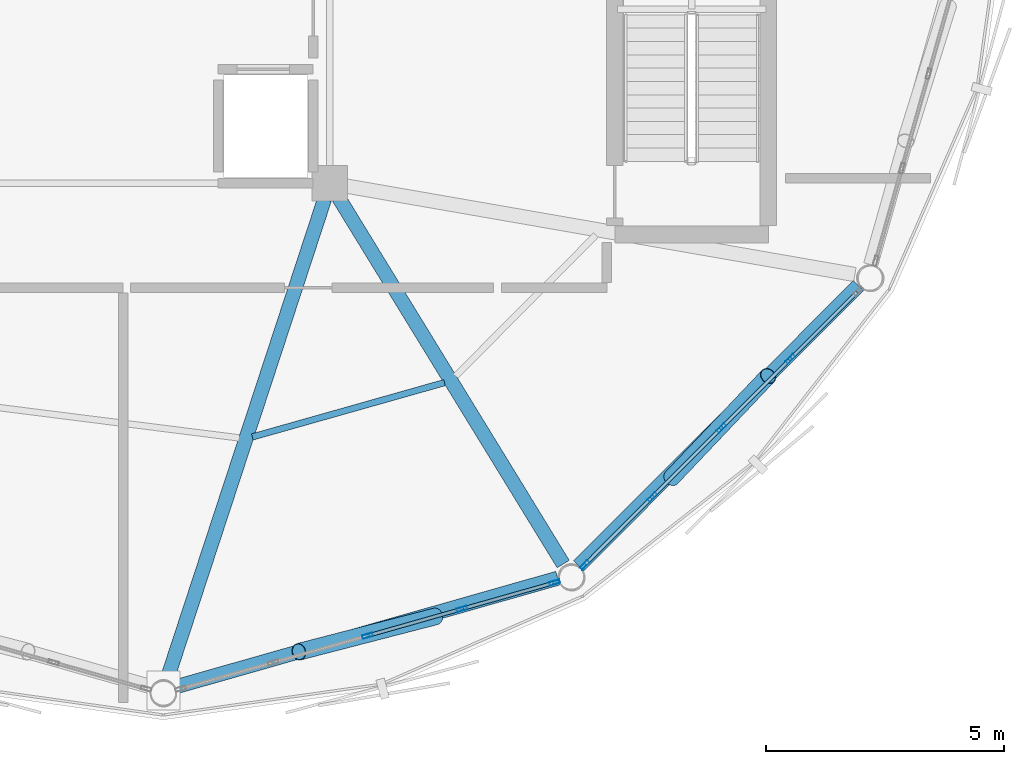
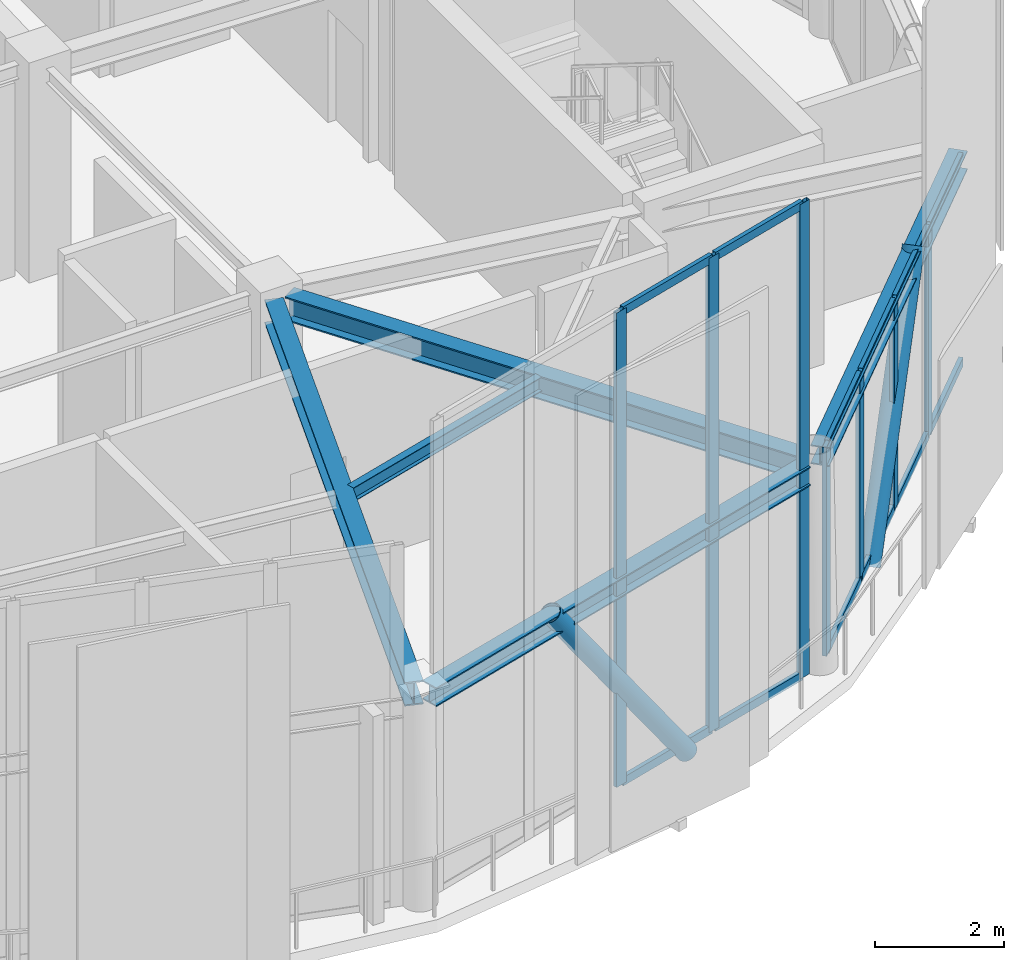
# One storey, part 5 of 20: 21 members, 5 beams, 2 elements without a shape of their own.
"""IFC4 building model written with IfcOpenShell, lengths in metres."""

from ifc_helpers import new_model, si_unit, direction, frame, origin, origin_2d, place, context, subcontext, project, spatial, hollow_rectangle, hollow_circle, i_section, extrude, material, layer, layer_set, material_profile, profile_set, type_object, element, aggregate, save


model = new_model("IFC4")

# Units and contexts
model_context = context("Model", 3, precision=1e-05, world=origin(), true_north=direction((0.0, 1.0)))
body_context = subcontext(model_context, "Body", "Model", "MODEL_VIEW")
ifc_project = project(units=[si_unit("LENGTHUNIT", "METRE"), si_unit("AREAUNIT", "SQUARE_METRE"), si_unit("VOLUMEUNIT", "CUBIC_METRE"), si_unit("PLANEANGLEUNIT", "RADIAN"), si_unit("MASSUNIT", "GRAM", prefix="KILO")], contexts=[model_context])

# Site, building, storey
site_placement = place(None, origin())
site = spatial("IfcSite", under=ifc_project, at=site_placement, CompositionType="ELEMENT")
building_placement = place(site_placement, origin())
building = spatial("IfcBuilding", under=site, at=building_placement, Name="Varnakorn Sky Granary", CompositionType="ELEMENT")
storey_placement = place(building_placement, frame((0.0, 0.0, 310.800048828125)))
storey = spatial("IfcBuildingStorey", under=building, at=storey_placement, Name="L79", CompositionType="ELEMENT", Elevation=310.800048828125)

# Beams
ifc_material_1 = material(Name="Steel S355JR", Category="steel")
ifc_material_profile_1 = material_profile(ifc_material_1, i_section(OverallWidth=0.300048828125, OverallDepth=0.449951171875, WebThickness=0.013916015625, FlangeThickness=0.02587890625, at=origin_2d()), Name="HE 450 B")
ifc_profile_set_1 = profile_set([ifc_material_profile_1], Name="Steel S355JR")
beam_type_1 = type_object("IfcBeamType", Name="BM-RAD-Z5", PredefinedType="BEAM", material=ifc_profile_set_1)
beam_1_placement = place(storey_placement, frame((8.239501953125, -6.937255859375, 3.73486328125), z_axis=(-0.311668504722, -0.950190898275, 0.0), x_axis=(0.950190898275, -0.311668504722, 0.0)))
element("IfcBeam", 1, at=beam_1_placement, inside=storey, type_object=beam_type_1, Name="Radial Floor Girder RG10 L79", PredefinedType="BEAM", context=body_context, shape_type="SweptSolid", body=[
    extrude(i_section(OverallWidth=0.300048828125, OverallDepth=0.449951171875, WebThickness=0.013916015625, FlangeThickness=0.02587890625, at=origin_2d()), origin(), (0.0, 0.0, 1.0), 10.611083984375),
])
beam_2_placement = place(storey_placement, frame((8.535400390625, -6.902587890625, 3.73486328125), z_axis=(0.522562057929, -0.852601252411, 0.0), x_axis=(0.852601252411, 0.522562057929, 0.0)))
element("IfcBeam", 2, at=beam_2_placement, inside=storey, type_object=beam_type_1, Name="Radial Floor Girder RG11 L79", PredefinedType="BEAM", context=body_context, shape_type="SweptSolid", body=[
    extrude(i_section(OverallWidth=0.300048828125, OverallDepth=0.449951171875, WebThickness=0.013916015625, FlangeThickness=0.02587890625, at=origin_2d()), origin(), (0.0, 0.0, 1.0), 9.04541015625),
])
ifc_material_profile_2 = material_profile(ifc_material_1, i_section(OverallWidth=0.135009765625, OverallDepth=0.27001953125, WebThickness=0.006591796875, FlangeThickness=0.01025390625, at=origin_2d()), Name="IPE 270")
ifc_profile_set_2 = profile_set([ifc_material_profile_2], Name="Steel S355JR")
beam_type_2 = type_object("IfcBeamType", Name="BM-SEC-Z5", PredefinedType="BEAM", material=ifc_profile_set_2)
beam_3_placement = place(storey_placement, frame((6.720703125, -11.9404296875, 3.824951171875), z_axis=(0.96225715866, 0.272141802389, 0.0), x_axis=(-0.272141802389, 0.96225715866, 0.0)))
element("IfcBeam", 3, at=beam_3_placement, inside=storey, type_object=beam_type_2, Name="Secondary Floor Chord Beam MSB10 L79", PredefinedType="BEAM", context=body_context, shape_type="SweptSolid", body=[
    extrude(i_section(OverallWidth=0.135009765625, OverallDepth=0.27001953125, WebThickness=0.006591796875, FlangeThickness=0.01025390625, at=origin_2d()), origin(), (0.0, 0.0, 1.0), 4.2021484375),
])
ifc_material_profile_3 = material_profile(ifc_material_1, i_section(OverallWidth=0.300048828125, OverallDepth=0.360107421875, WebThickness=0.012451171875, FlangeThickness=0.0224609375, at=origin_2d()), Name="HE 360 B")
ifc_profile_set_3 = profile_set([ifc_material_profile_3], Name="Steel S355JR")
beam_type_3 = type_object("IfcBeamType", Name="BM-SPD-Z5", PredefinedType="SPANDREL", material=ifc_profile_set_3)
beam_4_placement = place(storey_placement, frame((5.1044921875, -17.19873046875, 3.780029296875), z_axis=(0.961884569947, 0.273455799168, 0.0), x_axis=(-0.273455799168, 0.961884569947, 0.0)))
element("IfcBeam", 4, at=beam_4_placement, inside=storey, type_object=beam_type_3, Name="Perimeter Spandrel Ring Beam RB10 L79", PredefinedType="SPANDREL", context=body_context, shape_type="SweptSolid", body=[
    extrude(i_section(OverallWidth=0.300048828125, OverallDepth=0.360107421875, WebThickness=0.012451171875, FlangeThickness=0.0224609375, at=origin_2d()), origin(), (0.0, 0.0, 1.0), 8.360107421875),
])
beam_5_placement = place(storey_placement, frame((13.58740234375, -14.653076171875, 3.780029296875), z_axis=(0.706373891931, 0.707838911617, 0.0), x_axis=(-0.707838911617, 0.706373891931, 0.0)))
element("IfcBeam", 5, at=beam_5_placement, inside=storey, type_object=beam_type_3, Name="Perimeter Spandrel Ring Beam RB11 L79", PredefinedType="SPANDREL", context=body_context, shape_type="SweptSolid", body=[
    extrude(i_section(OverallWidth=0.300048828125, OverallDepth=0.360107421875, WebThickness=0.012451171875, FlangeThickness=0.0224609375, at=origin_2d()), origin(), (0.0, 0.0, 1.0), 8.332275390625),
])

# Curtain wall, members
ifc_material_2 = material(Name="Anodised Bronze Aluminium Alloy 6063-T6", Category="aluminium")
ifc_layer = layer(ifc_material_2, 0.22998046875, Name="Anodised Bronze Aluminium Alloy 6063-T6")
ifc_layer_set = layer_set([ifc_layer], Name="Anodised Bronze Aluminium Alloy 6063-T6")
curtain_wall_type = type_object("IfcCurtainWallType", Name="CW-LNT-1", PredefinedType="USERDEFINED", material=ifc_layer_set)
curtain_wall_1_placement = place(storey_placement, origin())
curtain_wall_1 = element("IfcCurtainWall", 6, at=curtain_wall_1_placement, inside=storey, type_object=curtain_wall_type, Name="Unitised Curtain Wall CW7 CW-L79-B10", ObjectType="CURTAIN WALL", PredefinedType="USERDEFINED")
ifc_material_profile_4 = material_profile(ifc_material_2, hollow_rectangle(XDim=0.074951171875, YDim=0.219970703125, WallThickness=0.00390625, at=origin_2d()), Name="ALU MULL 75x220")
ifc_profile_set_4 = profile_set([ifc_material_profile_4], Name="Anodised Bronze Aluminium Alloy 6063-T6")
member_type_1 = type_object("IfcMemberType", Name="CW-LNT-1-MULL", PredefinedType="MULLION", material=ifc_profile_set_4)
member_1_placement = place(storey_placement, frame((13.080322265625, -15.005615234375, 0.0), z_axis=(0.0, 0.0, 1.0), x_axis=(0.273207021896, -0.961955260491, 0.0)))
member_1 = element("IfcMember", 7, at=member_1_placement, type_object=member_type_1, Name="CW7 mullion 1", PredefinedType="MULLION", context=body_context, shape_type="SweptSolid", body=[
    extrude(hollow_rectangle(XDim=0.074951171875, YDim=0.219970703125, WallThickness=0.00390625, at=origin_2d()), origin(), (0.0, 0.0, 1.0), 9.0068359375),
])
member_2_placement = place(storey_placement, frame((11.13134765625, -15.55908203125, 0.0), z_axis=(0.0, 0.0, 1.0), x_axis=(0.273207021896, -0.961955260491, 0.0)))
member_2 = element("IfcMember", 8, at=member_2_placement, type_object=member_type_1, Name="CW7 mullion 2", PredefinedType="MULLION", context=body_context, shape_type="SweptSolid", body=[
    extrude(hollow_rectangle(XDim=0.074951171875, YDim=0.219970703125, WallThickness=0.00390625, at=origin_2d()), origin(), (0.0, 0.0, 1.0), 9.0068359375),
])
member_3_placement = place(storey_placement, frame((9.146484375, -16.122802734375, 0.0), z_axis=(0.0, 0.0, 1.0), x_axis=(0.273207021896, -0.961955260491, 0.0)))
member_3 = element("IfcMember", 9, at=member_3_placement, type_object=member_type_1, Name="CW7 mullion 3", PredefinedType="MULLION", context=body_context, shape_type="SweptSolid", body=[
    extrude(hollow_rectangle(XDim=0.074951171875, YDim=0.219970703125, WallThickness=0.00390625, at=origin_2d()), origin(), (0.0, 0.0, 1.0), 9.0068359375),
])

curtain_wall_2_placement = place(storey_placement, origin())
curtain_wall_2 = element("IfcCurtainWall", 10, at=curtain_wall_2_placement, inside=storey, type_object=curtain_wall_type, Name="Unitised Curtain Wall CW7 CW-L79-B11", ObjectType="CURTAIN WALL", PredefinedType="USERDEFINED")
member_4_placement = place(storey_placement, frame((18.041015625, -10.298828125, 0.0), z_axis=(0.0, 0.0, 1.0), x_axis=(0.707562678959, -0.706650589291, 0.0)))
member_4 = element("IfcMember", 11, at=member_4_placement, type_object=member_type_1, Name="CW7 mullion 2", PredefinedType="MULLION", context=body_context, shape_type="SweptSolid", body=[
    extrude(hollow_rectangle(XDim=0.074951171875, YDim=0.219970703125, WallThickness=0.00390625, at=origin_2d()), origin(), (0.0, 0.0, 1.0), 3.9599609375),
])
member_5_placement = place(storey_placement, frame((16.588134765625, -11.75341796875, 0.0), z_axis=(0.0, 0.0, 1.0), x_axis=(0.707562678959, -0.706650589291, 0.0)))
member_5 = element("IfcMember", 12, at=member_5_placement, type_object=member_type_1, Name="CW7 mullion 3", PredefinedType="MULLION", context=body_context, shape_type="SweptSolid", body=[
    extrude(hollow_rectangle(XDim=0.074951171875, YDim=0.219970703125, WallThickness=0.00390625, at=origin_2d()), origin(), (0.0, 0.0, 1.0), 3.9599609375),
])
member_6_placement = place(storey_placement, frame((15.135498046875, -13.207763671875, 0.0), z_axis=(0.0, 0.0, 1.0), x_axis=(0.707562678959, -0.706650589291, 0.0)))
member_6 = element("IfcMember", 13, at=member_6_placement, type_object=member_type_1, Name="CW7 mullion 4", PredefinedType="MULLION", context=body_context, shape_type="SweptSolid", body=[
    extrude(hollow_rectangle(XDim=0.074951171875, YDim=0.219970703125, WallThickness=0.00390625, at=origin_2d()), origin(), (0.0, 0.0, 1.0), 3.9599609375),
])
member_7_placement = place(storey_placement, frame((13.70947265625, -14.635986328125, 0.0), z_axis=(0.0, 0.0, 1.0), x_axis=(0.707562678959, -0.706650589291, 0.0)))
member_7 = element("IfcMember", 14, at=member_7_placement, type_object=member_type_1, Name="CW7 mullion 5", PredefinedType="MULLION", context=body_context, shape_type="SweptSolid", body=[
    extrude(hollow_rectangle(XDim=0.074951171875, YDim=0.219970703125, WallThickness=0.00390625, at=origin_2d()), origin(), (0.0, 0.0, 1.0), 3.9599609375),
])

# Member
ifc_material_profile_5 = material_profile(ifc_material_2, hollow_rectangle(XDim=0.074951171875, YDim=0.159912109375, WallThickness=0.00390625, at=origin_2d()), Name="ALU TRAN 75x160")
ifc_profile_set_5 = profile_set([ifc_material_profile_5], Name="Anodised Bronze Aluminium Alloy 6063-T6")
member_type_2 = type_object("IfcMemberType", Name="CW-LNT-1-TRAN", PredefinedType="USERDEFINED", material=ifc_profile_set_5)
member_8_placement = place(storey_placement, frame((13.044189453125, -15.015869140625, 0.037353515625), z_axis=(-0.961961894465, -0.273183662757, 0.0), x_axis=(0.273183662757, -0.961961894465, 0.0)))
member_8 = element("IfcMember", 15, at=member_8_placement, type_object=member_type_2, Name="CW7 transom 1.1", ObjectType="TRANSOM", PredefinedType="USERDEFINED", context=body_context, shape_type="SweptSolid", body=[
    extrude(hollow_rectangle(XDim=0.074951171875, YDim=0.159912109375, WallThickness=0.00390625, at=origin_2d()), origin(), (0.0, 0.0, 1.0), 1.950927734375),
])

member_9_placement = place(storey_placement, frame((13.044189453125, -15.015869140625, 8.96923828125), z_axis=(-0.961961894465, -0.273183662757, 0.0), x_axis=(0.273183662757, -0.961961894465, 0.0)))
member_9 = element("IfcMember", 16, at=member_9_placement, type_object=member_type_2, Name="CW7 transom 1.2", ObjectType="TRANSOM", PredefinedType="USERDEFINED", context=body_context, shape_type="SweptSolid", body=[
    extrude(hollow_rectangle(XDim=0.074951171875, YDim=0.159912109375, WallThickness=0.00390625, at=origin_2d()), origin(), (0.0, 0.0, 1.0), 1.950927734375),
])

member_10_placement = place(storey_placement, frame((11.095458984375, -15.5693359375, 0.037353515625), z_axis=(-0.961962859849, -0.273180263327, 0.0), x_axis=(0.273180263327, -0.961962859849, 0.0)))
member_10 = element("IfcMember", 17, at=member_10_placement, type_object=member_type_2, Name="CW7 transom 2.1", ObjectType="TRANSOM", PredefinedType="USERDEFINED", context=body_context, shape_type="SweptSolid", body=[
    extrude(hollow_rectangle(XDim=0.074951171875, YDim=0.159912109375, WallThickness=0.00390625, at=origin_2d()), origin(), (0.0, 0.0, 1.0), 1.988525390625),
])

member_11_placement = place(storey_placement, frame((11.095458984375, -15.5693359375, 8.96923828125), z_axis=(-0.961962859849, -0.273180263327, 0.0), x_axis=(0.273180263327, -0.961962859849, 0.0)))
member_11 = element("IfcMember", 18, at=member_11_placement, type_object=member_type_2, Name="CW7 transom 2.2", ObjectType="TRANSOM", PredefinedType="USERDEFINED", context=body_context, shape_type="SweptSolid", body=[
    extrude(hollow_rectangle(XDim=0.074951171875, YDim=0.159912109375, WallThickness=0.00390625, at=origin_2d()), origin(), (0.0, 0.0, 1.0), 1.988525390625),
])

aggregate(curtain_wall_1, [member_1, member_2, member_3, member_8, member_9, member_10, member_11])

member_12_placement = place(storey_placement, frame((19.440673828125, -8.897216796875, 0.037353515625), z_axis=(-0.706666940601, -0.707546348349, 0.0), x_axis=(0.707546348349, -0.706666940601, 0.0)))
member_12 = element("IfcMember", 19, at=member_12_placement, type_object=member_type_2, Name="CW7 transom 1.1", ObjectType="TRANSOM", PredefinedType="USERDEFINED", context=body_context, shape_type="SweptSolid", body=[
    extrude(hollow_rectangle(XDim=0.074951171875, YDim=0.159912109375, WallThickness=0.00390625, at=origin_2d()), origin(), (0.0, 0.0, 1.0), 1.943359375),
])

member_13_placement = place(storey_placement, frame((19.440673828125, -8.897216796875, 3.92236328125), z_axis=(-0.706666940601, -0.707546348349, 0.0), x_axis=(0.707546348349, -0.706666940601, 0.0)))
member_13 = element("IfcMember", 20, at=member_13_placement, type_object=member_type_2, Name="CW7 transom 1.2", ObjectType="TRANSOM", PredefinedType="USERDEFINED", context=body_context, shape_type="SweptSolid", body=[
    extrude(hollow_rectangle(XDim=0.074951171875, YDim=0.159912109375, WallThickness=0.00390625, at=origin_2d()), origin(), (0.0, 0.0, 1.0), 1.943359375),
])

member_14_placement = place(storey_placement, frame((18.014404296875, -10.3251953125, 0.037353515625), z_axis=(-0.706613594422, -0.707599624207, 0.0), x_axis=(0.707599624207, -0.706613594422, 0.0)))
member_14 = element("IfcMember", 21, at=member_14_placement, type_object=member_type_2, Name="CW7 transom 2.1", ObjectType="TRANSOM", PredefinedType="USERDEFINED", context=body_context, shape_type="SweptSolid", body=[
    extrude(hollow_rectangle(XDim=0.074951171875, YDim=0.159912109375, WallThickness=0.00390625, at=origin_2d()), origin(), (0.0, 0.0, 1.0), 1.980712890625),
])

member_15_placement = place(storey_placement, frame((18.014404296875, -10.3251953125, 3.92236328125), z_axis=(-0.706613594422, -0.707599624207, 0.0), x_axis=(0.707599624207, -0.706613594422, 0.0)))
member_15 = element("IfcMember", 22, at=member_15_placement, type_object=member_type_2, Name="CW7 transom 2.2", ObjectType="TRANSOM", PredefinedType="USERDEFINED", context=body_context, shape_type="SweptSolid", body=[
    extrude(hollow_rectangle(XDim=0.074951171875, YDim=0.159912109375, WallThickness=0.00390625, at=origin_2d()), origin(), (0.0, 0.0, 1.0), 1.980712890625),
])

member_16_placement = place(storey_placement, frame((16.561767578125, -11.77978515625, 0.037353515625), z_axis=(-0.706613594422, -0.707599624207, 0.0), x_axis=(0.707599624207, -0.706613594422, 0.0)))
member_16 = element("IfcMember", 23, at=member_16_placement, type_object=member_type_2, Name="CW7 transom 3.1", ObjectType="TRANSOM", PredefinedType="USERDEFINED", context=body_context, shape_type="SweptSolid", body=[
    extrude(hollow_rectangle(XDim=0.074951171875, YDim=0.159912109375, WallThickness=0.00390625, at=origin_2d()), origin(), (0.0, 0.0, 1.0), 1.980712890625),
])

member_17_placement = place(storey_placement, frame((16.561767578125, -11.77978515625, 3.92236328125), z_axis=(-0.706613594422, -0.707599624207, 0.0), x_axis=(0.707599624207, -0.706613594422, 0.0)))
member_17 = element("IfcMember", 24, at=member_17_placement, type_object=member_type_2, Name="CW7 transom 3.2", ObjectType="TRANSOM", PredefinedType="USERDEFINED", context=body_context, shape_type="SweptSolid", body=[
    extrude(hollow_rectangle(XDim=0.074951171875, YDim=0.159912109375, WallThickness=0.00390625, at=origin_2d()), origin(), (0.0, 0.0, 1.0), 1.980712890625),
])

member_18_placement = place(storey_placement, frame((15.109130859375, -13.234375, 0.037353515625), z_axis=(-0.706666940601, -0.707546348349, 0.0), x_axis=(0.707546348349, -0.706666940601, 0.0)))
member_18 = element("IfcMember", 25, at=member_18_placement, type_object=member_type_2, Name="CW7 transom 4.1", ObjectType="TRANSOM", PredefinedType="USERDEFINED", context=body_context, shape_type="SweptSolid", body=[
    extrude(hollow_rectangle(XDim=0.074951171875, YDim=0.159912109375, WallThickness=0.00390625, at=origin_2d()), origin(), (0.0, 0.0, 1.0), 1.943359375),
])

member_19_placement = place(storey_placement, frame((15.109130859375, -13.234375, 3.92236328125), z_axis=(-0.706666940601, -0.707546348349, 0.0), x_axis=(0.707546348349, -0.706666940601, 0.0)))
member_19 = element("IfcMember", 26, at=member_19_placement, type_object=member_type_2, Name="CW7 transom 4.2", ObjectType="TRANSOM", PredefinedType="USERDEFINED", context=body_context, shape_type="SweptSolid", body=[
    extrude(hollow_rectangle(XDim=0.074951171875, YDim=0.159912109375, WallThickness=0.00390625, at=origin_2d()), origin(), (0.0, 0.0, 1.0), 1.943359375),
])

aggregate(curtain_wall_2, [member_4, member_5, member_6, member_7, member_12, member_13, member_14, member_15, member_16, member_17, member_18, member_19])

# Members
ifc_material_3 = material(Name="Steel S460M", Category="steel")
ifc_material_profile_6 = material_profile(ifc_material_3, hollow_circle(Radius=0.177734375, WallThickness=0.01416015625, at=origin_2d()), Name="CHS 355.6x14")
ifc_profile_set_6 = profile_set([ifc_material_profile_6], Name="Steel S460M")
member_type_3 = type_object("IfcMemberType", Name="MB-DIAG-T5", PredefinedType="BRACE", material=ifc_profile_set_6)
member_20_placement = place(storey_placement, frame((10.57861328125, -15.716064453125, -0.130126953125), z_axis=(-0.569246727462, -0.147260603796, 0.808871113246), x_axis=(0.250449171896, -0.968129749722, 0.0)))
element("IfcMember", 27, at=member_20_placement, inside=storey, type_object=member_type_3, Name="Perimeter CHS Diagrid Brace DG10 L79", PredefinedType="BRACE", context=body_context, shape_type="SweptSolid", body=[
    extrude(hollow_circle(Radius=0.177734375, WallThickness=0.01416015625, at=origin_2d()), origin(), (0.0, 0.0, 1.0), 5.056640625),
])
member_21_placement = place(storey_placement, frame((15.539794921875, -12.802978515625, -0.130126953125), z_axis=(0.403025883378, 0.4249431373, 0.810551335443), x_axis=(-0.725570512089, 0.688147827132, 0.0)))
element("IfcMember", 28, at=member_21_placement, inside=storey, type_object=member_type_3, Name="Perimeter CHS Diagrid Brace DG11 L79", PredefinedType="BRACE", context=body_context, shape_type="SweptSolid", body=[
    extrude(hollow_circle(Radius=0.177734375, WallThickness=0.01416015625, at=origin_2d()), origin(), (0.0, 0.0, 1.0), 5.046142578125),
])

save(model, "model.ifc")
